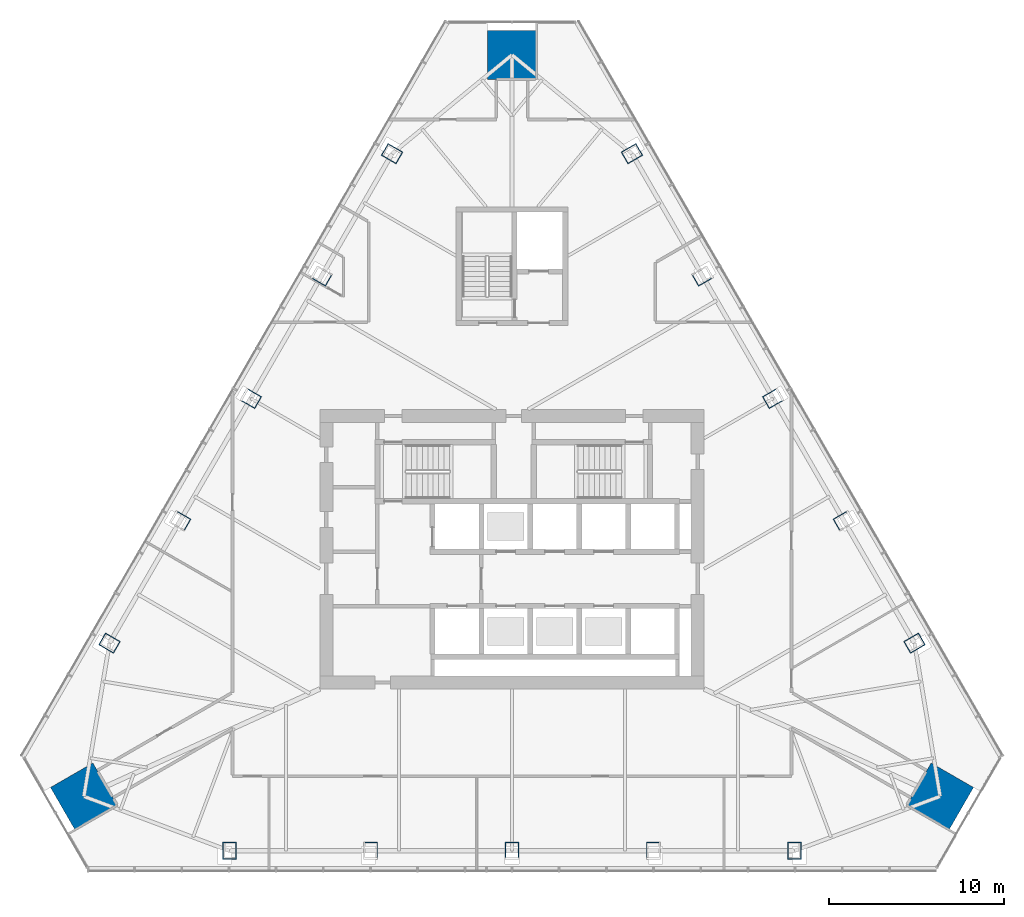
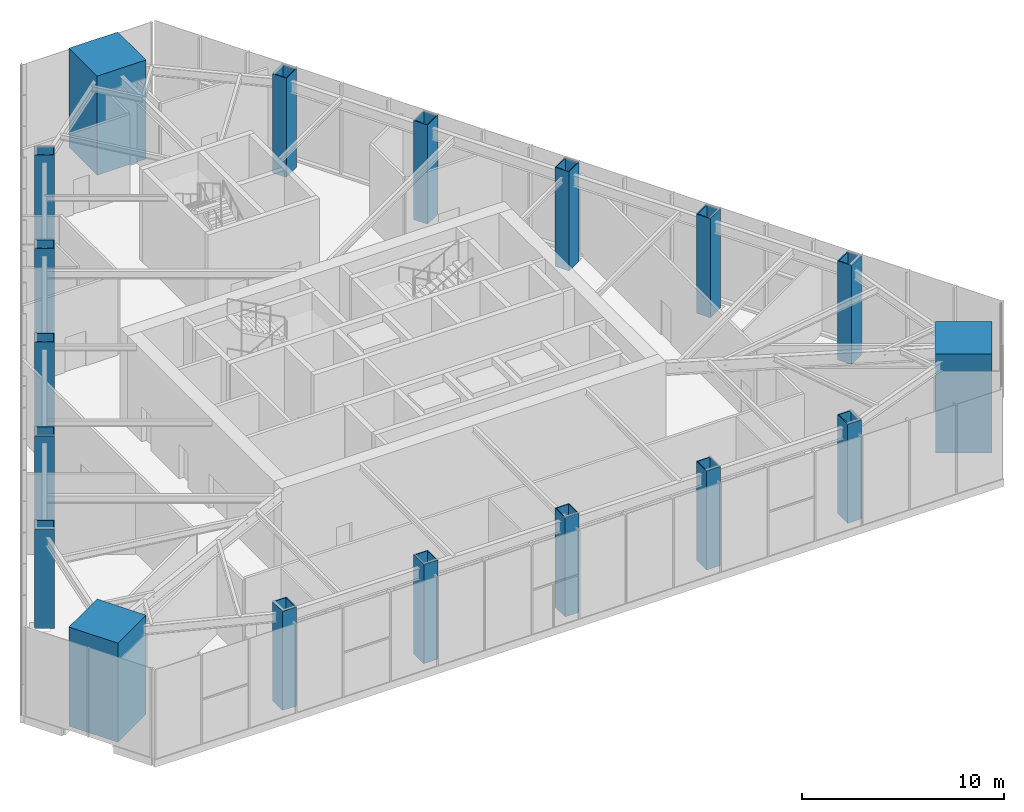
# One storey, part 1 of 16: 18 columns.
"""IFC4 building model written with IfcOpenShell, lengths in metres."""

from ifc_helpers import new_model, si_unit, direction, frame, origin, origin_2d, place, context, subcontext, project, spatial, rectangle, hollow_rectangle, extrude, material, material_profile, profile_set, type_object, element, save


model = new_model("IFC4")

# Units and contexts
model_context = context("Model", 3, precision=1e-05, world=origin(), true_north=direction((0.0, 1.0)))
body_context = subcontext(model_context, "Body", "Model", "MODEL_VIEW")
ifc_project = project(units=[si_unit("LENGTHUNIT", "METRE"), si_unit("AREAUNIT", "SQUARE_METRE"), si_unit("VOLUMEUNIT", "CUBIC_METRE"), si_unit("PLANEANGLEUNIT", "RADIAN"), si_unit("MASSUNIT", "GRAM", prefix="KILO")], contexts=[model_context])

# Site, building, storey
site_placement = place(None, origin())
site = spatial("IfcSite", under=ifc_project, at=site_placement, CompositionType="ELEMENT")
building_placement = place(site_placement, origin())
building = spatial("IfcBuilding", under=site, at=building_placement, Name="Firuza Gate Tower and Library", CompositionType="ELEMENT")
storey_placement = place(building_placement, frame((0.0, 0.0, 241.60009765625)))
storey = spatial("IfcBuildingStorey", under=building, at=storey_placement, Name="L57", CompositionType="ELEMENT", Elevation=241.60009765625)

# Columns
ifc_material_1 = material(Name="Steel S355", Category="steel")
ifc_material_profile_1 = material_profile(ifc_material_1, hollow_rectangle(XDim=0.800048828125, YDim=1.0, WallThickness=0.050048828125, at=origin_2d()))
ifc_profile_set_1 = profile_set([ifc_material_profile_1], Name="Steel S355")
column_type_1 = type_object("IfcColumnType", Name="BU1000x800x50 Composite box column", PredefinedType="COLUMN", material=ifc_profile_set_1)
for number, where, z_axis, x_axis, name in (
    (1, (58.824951171875, 57.735107421875, -0.00048828125), (0.0, 0.0, 1.0), (1.0, 0.0, 0.0), "Column S1 L57"),
    (2, (66.91259765625, 57.735107421875, -0.00048828125), (0.0, 0.0, 1.0), (1.0, 0.0, 0.0), "Column S2 L57"),
    (3, (75.0, 57.735107421875, -0.00048828125), (0.0, 0.0, 1.0), (1.0, 0.0, 0.0), "Column S3 L57"),
    (4, (83.08740234375, 57.735107421875, -0.00048828125), (0.0, 0.0, 1.0), (1.0, 0.0, 0.0), "Column S4 L57"),
    (5, (91.175048828125, 57.735107421875, -0.00048828125), (0.0, 0.0, 1.0), (1.0, 0.0, 0.0), "Column S5 L57"),
    (6, (98.039306640625, 69.62451171875, -0.00048828125), (0.0, 0.0, 1.0), (-0.5, 0.866025403784, 0.0), "Column E1 L57"),
    (7, (93.99560546875, 76.62841796875, -0.00048828125), (0.0, 0.0, 1.0), (-0.5, 0.866025403784, 0.0), "Column E2 L57"),
    (8, (89.951904296875, 83.63232421875, -0.00048828125), (0.0, 0.0, 1.0), (-0.5, 0.866025403784, 0.0), "Column E3 L57"),
    (9, (85.907958984375, 90.636474609375, -0.00048828125), (0.0, 0.0, 1.0), (-0.5, 0.866025403784, 0.0), "Column E4 L57"),
    (10, (81.8642578125, 97.640380859375, -0.00048828125), (0.0, 0.0, 1.0), (-0.5, 0.866025403784, 0.0), "Column E5 L57"),
    (11, (68.1357421875, 97.640380859375, -0.00048828125), (0.0, 0.0, 1.0), (-0.5, -0.866025403784, 0.0), "Column W1 L57"),
    (12, (64.092041015625, 90.636474609375, -0.00048828125), (0.0, 0.0, 1.0), (-0.5, -0.866025403784, 0.0), "Column W2 L57"),
    (13, (60.048095703125, 83.63232421875, -0.00048828125), (0.0, 0.0, 1.0), (-0.5, -0.866025403784, 0.0), "Column W3 L57"),
    (14, (56.00439453125, 76.62841796875, -0.00048828125), (0.0, 0.0, 1.0), (-0.5, -0.866025403784, 0.0), "Column W4 L57"),
    (15, (51.960693359375, 69.62451171875, -0.00048828125), (0.0, 0.0, 1.0), (-0.5, -0.866025403784, 0.0), "Column W5 L57"),
):
    element("IfcColumn", number, at=place(storey_placement, frame(where, z_axis=z_axis, x_axis=x_axis)), inside=storey, type_object=column_type_1, Name=name, PredefinedType="COLUMN", context=body_context, shape_type="SweptSolid", body=[
        extrude(hollow_rectangle(XDim=0.800048828125, YDim=1.0, WallThickness=0.050048828125, at=origin_2d()), origin(), (0.0, 0.0, 1.0), 6.00048828125),
    ])
ifc_material_2 = material(Name="Concrete C80/95", Category="concrete")
ifc_material_profile_2 = material_profile(ifc_material_2, rectangle(XDim=2.800048828125, YDim=2.800048828125, at=origin_2d()))
ifc_profile_set_2 = profile_set([ifc_material_profile_2], Name="Concrete C80/95")
column_type_2 = type_object("IfcColumnType", Name="Mega column 2800x2800 C80/95", PredefinedType="COLUMN", material=ifc_profile_set_2)
for number, where, z_axis, x_axis, name in (
    (16, (99.503662109375, 60.852783203125, 0.0), (0.0, 0.0, 1.0), (0.5, 0.866025403784, 0.0), "Mega column SE L57"),
    (17, (75.0, 103.294189453125, 0.0), (0.0, 0.0, 1.0), (-1.0, 0.0, 0.0), "Mega column N L57"),
    (18, (50.496337890625, 60.852783203125, 0.0), (0.0, 0.0, 1.0), (0.5, -0.866025403784, 0.0), "Mega column SW L57"),
):
    element("IfcColumn", number, at=place(storey_placement, frame(where, z_axis=z_axis, x_axis=x_axis)), inside=storey, type_object=column_type_2, Name=name, PredefinedType="COLUMN", context=body_context, shape_type="SweptSolid", body=[
        extrude(rectangle(XDim=2.800048828125, YDim=2.800048828125, at=origin_2d()), origin(), (0.0, 0.0, 1.0), 6.0),
    ])

save(model, "model.ifc")
